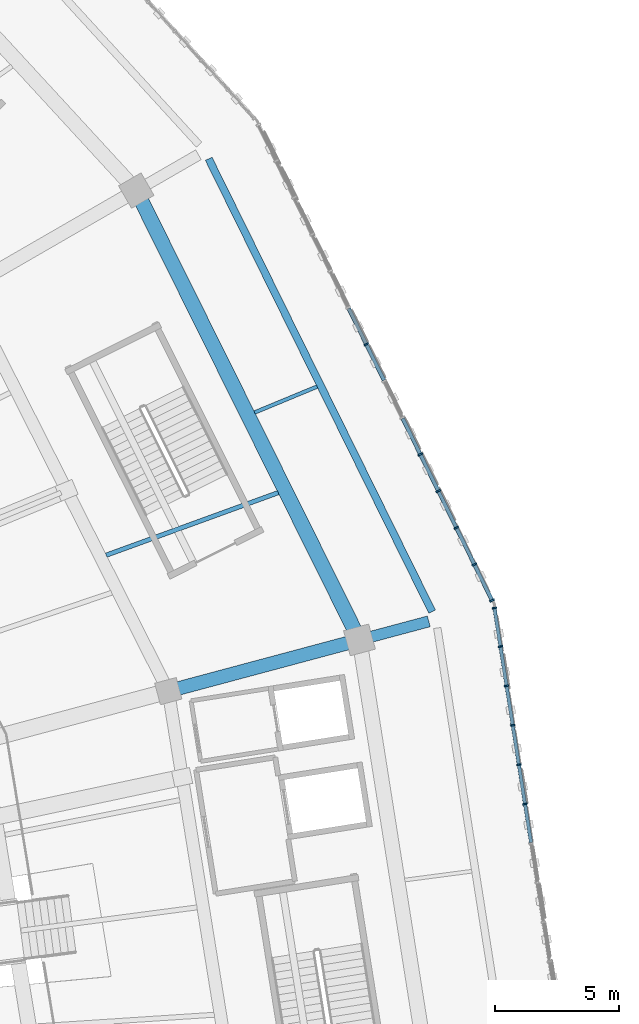
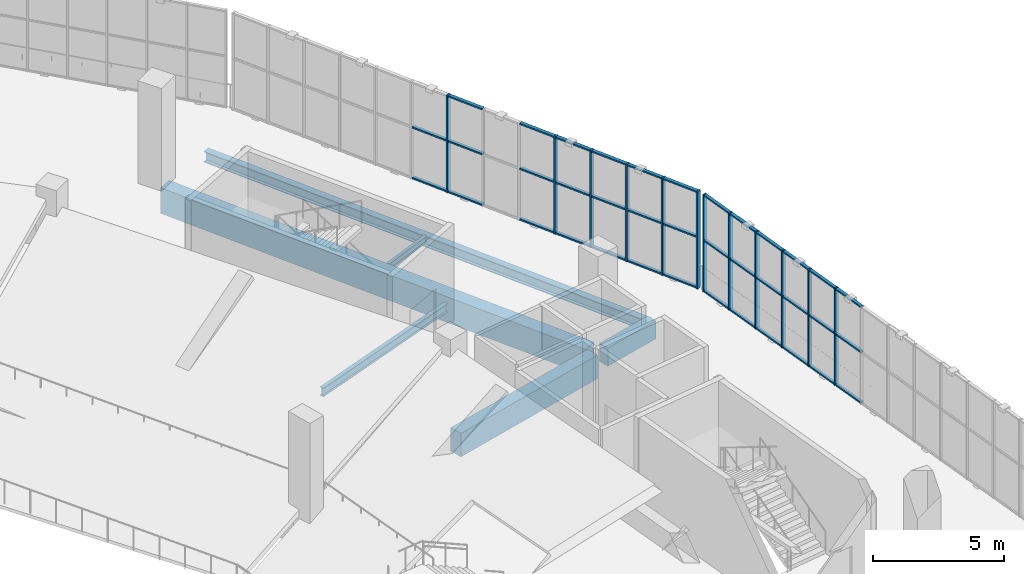
# One storey, part 40 of 152: 50 members, 6 beams, 2 elements without a shape of their own.
"""IFC4 building model written with IfcOpenShell, lengths in metres."""

from ifc_helpers import new_model, si_unit, direction, frame, origin, origin_2d, place, context, subcontext, project, spatial, rectangle, i_section, extrude, material, material_profile, profile_set, type_object, element, aggregate, save


model = new_model("IFC4")

# Units and contexts
model_context = context("Model", 3, precision=1e-05, world=origin(), true_north=direction((0.0, 1.0)))
body_context = subcontext(model_context, "Body", "Model", "MODEL_VIEW")
ifc_project = project(units=[si_unit("LENGTHUNIT", "METRE"), si_unit("AREAUNIT", "SQUARE_METRE"), si_unit("VOLUMEUNIT", "CUBIC_METRE"), si_unit("PLANEANGLEUNIT", "RADIAN"), si_unit("MASSUNIT", "GRAM", prefix="KILO")], contexts=[model_context])

# Site, building, storey
site_placement = place(None, origin())
site = spatial("IfcSite", under=ifc_project, at=site_placement, CompositionType="ELEMENT")
building_placement = place(site_placement, origin())
building = spatial("IfcBuilding", under=site, at=building_placement, Name="Zevraka Park Crest Stadium", CompositionType="ELEMENT")
storey_placement = place(building_placement, frame((0.0, 0.0, 15.0)))
storey = spatial("IfcBuildingStorey", under=building, at=storey_placement, Name="L03", CompositionType="ELEMENT", Elevation=15.0)

# Beams
ifc_material_1 = material(Name="Concrete C40/50", Category="concrete")
ifc_material_profile_1 = material_profile(ifc_material_1, rectangle(XDim=0.550048828125, YDim=1.10009765625, at=origin_2d()), Name="RC 1100x550")
ifc_profile_set_1 = profile_set([ifc_material_profile_1], Name="Concrete C40/50")
beam_type_1 = type_object("IfcBeamType", Name="BG02", PredefinedType="BEAM", material=ifc_profile_set_1)
beam_1_placement = place(storey_placement, frame((191.785888671875, 109.4970703125, -0.56005859375), z_axis=(0.965968812251, 0.258658565986, 0.0), x_axis=(-0.258658565986, 0.965968812251, 0.0)))
element("IfcBeam", 1, at=beam_1_placement, inside=storey, type_object=beam_type_1, Name="Radial Girder BG02 L03-CD-01", PredefinedType="BEAM", context=body_context, shape_type="SweptSolid", body=[
    extrude(rectangle(XDim=0.550048828125, YDim=1.10009765625, at=origin_2d()), origin(), (0.0, 0.0, 1.0), 7.39892578125),
])
ifc_material_2 = material(Name="Concrete C40/50", Category="concrete")
ifc_material_profile_2 = material_profile(ifc_material_2, rectangle(XDim=0.449951171875, YDim=0.85009765625, at=origin_2d()), Name="RC 850x450")
ifc_profile_set_2 = profile_set([ifc_material_profile_2], Name="Concrete C40/50")
beam_type_2 = type_object("IfcBeamType", Name="BG03", PredefinedType="BEAM", material=ifc_profile_set_2)
beam_2_placement = place(storey_placement, frame((199.512939453125, 111.56689453125, -0.43505859375), z_axis=(0.965992888406, 0.258568636051, 0.0), x_axis=(-0.258568636051, 0.965992888406, 0.0)))
element("IfcBeam", 2, at=beam_2_placement, inside=storey, type_object=beam_type_2, Name="Radial Girder BG03 L03-DE-01", PredefinedType="BEAM", context=body_context, shape_type="SweptSolid", body=[
    extrude(rectangle(XDim=0.449951171875, YDim=0.85009765625, at=origin_2d()), origin(), (0.0, 0.0, 1.0), 2.599365234375),
])

# Curtain wall, members
ifc_material_3 = material(Name="Anodised architectural aluminium and laminated safety glass", Category="aluminium")
curtain_wall_type_1 = type_object("IfcCurtainWallType", Name="CW11", PredefinedType="NOTDEFINED", material=ifc_material_3)
curtain_wall_1_placement = place(storey_placement, origin())
curtain_wall_1 = element("IfcCurtainWall", 3, at=curtain_wall_1_placement, inside=storey, type_object=curtain_wall_type_1, Name="Unitised Ring Curtain Wall CW11 L03-00", PredefinedType="NOTDEFINED")
ifc_material_4 = material(Name="Anodised architectural aluminium", Category="aluminium")
ifc_material_profile_3 = material_profile(ifc_material_4, rectangle(XDim=0.179931640625, YDim=0.06494140625, at=origin_2d()), Name="ALU MULLION 180x65")
ifc_profile_set_3 = profile_set([ifc_material_profile_3], Name="Anodised architectural aluminium")
member_type_1 = type_object("IfcMemberType", Name="CM02", PredefinedType="MULLION", material=ifc_profile_set_3)
member_1_placement = place(storey_placement, frame((205.9130859375, 104.8564453125, 0.0), z_axis=(0.0, 0.0, 1.0), x_axis=(-0.988050931267, -0.154127730222, 0.0)))
member_1 = element("IfcMember", 4, at=member_1_placement, type_object=member_type_1, Name="CW11 mullion 9", PredefinedType="MULLION", context=body_context, shape_type="SweptSolid", body=[
    extrude(rectangle(XDim=0.179931640625, YDim=0.06494140625, at=origin_2d()), origin(), (0.0, 0.0, 1.0), 4.5400390625),
])
member_2_placement = place(storey_placement, frame((205.6650390625, 106.44775390625, 0.0), z_axis=(0.0, 0.0, 1.0), x_axis=(-0.988050931267, -0.154127730222, 0.0)))
member_2 = element("IfcMember", 5, at=member_2_placement, type_object=member_type_1, Name="CW11 mullion 10", PredefinedType="MULLION", context=body_context, shape_type="SweptSolid", body=[
    extrude(rectangle(XDim=0.179931640625, YDim=0.06494140625, at=origin_2d()), origin(), (0.0, 0.0, 1.0), 4.5400390625),
])
member_3_placement = place(storey_placement, frame((205.416748046875, 108.0390625, 0.0), z_axis=(0.0, 0.0, 1.0), x_axis=(-0.988050931267, -0.154127730222, 0.0)))
member_3 = element("IfcMember", 6, at=member_3_placement, type_object=member_type_1, Name="CW11 mullion 11", PredefinedType="MULLION", context=body_context, shape_type="SweptSolid", body=[
    extrude(rectangle(XDim=0.179931640625, YDim=0.06494140625, at=origin_2d()), origin(), (0.0, 0.0, 1.0), 4.5400390625),
])
member_4_placement = place(storey_placement, frame((205.16845703125, 109.63037109375, 0.0), z_axis=(0.0, 0.0, 1.0), x_axis=(-0.988050931267, -0.154127730222, 0.0)))
member_4 = element("IfcMember", 7, at=member_4_placement, type_object=member_type_1, Name="CW11 mullion 12", PredefinedType="MULLION", context=body_context, shape_type="SweptSolid", body=[
    extrude(rectangle(XDim=0.179931640625, YDim=0.06494140625, at=origin_2d()), origin(), (0.0, 0.0, 1.0), 4.5400390625),
])
member_5_placement = place(storey_placement, frame((204.920166015625, 111.2216796875, 0.0), z_axis=(0.0, 0.0, 1.0), x_axis=(-0.988050931267, -0.154127730222, 0.0)))
member_5 = element("IfcMember", 8, at=member_5_placement, type_object=member_type_1, Name="CW11 mullion 13", PredefinedType="MULLION", context=body_context, shape_type="SweptSolid", body=[
    extrude(rectangle(XDim=0.179931640625, YDim=0.06494140625, at=origin_2d()), origin(), (0.0, 0.0, 1.0), 4.5400390625),
])
member_6_placement = place(storey_placement, frame((204.677001953125, 112.781005859375, 0.0), z_axis=(0.0, 0.0, 1.0), x_axis=(-0.988050931267, -0.154127730222, 0.0)))
member_6 = element("IfcMember", 9, at=member_6_placement, type_object=member_type_1, Name="CW11 mullion 14", PredefinedType="MULLION", context=body_context, shape_type="SweptSolid", body=[
    extrude(rectangle(XDim=0.179931640625, YDim=0.06494140625, at=origin_2d()), origin(), (0.0, 0.0, 1.0), 4.5400390625),
])

ifc_material_5 = material(Name="Anodised architectural aluminium and laminated safety glass", Category="aluminium")
curtain_wall_type_2 = type_object("IfcCurtainWallType", Name="CW12", PredefinedType="NOTDEFINED", material=ifc_material_5)
curtain_wall_2_placement = place(storey_placement, origin())
curtain_wall_2 = element("IfcCurtainWall", 10, at=curtain_wall_2_placement, inside=storey, type_object=curtain_wall_type_2, Name="Unitised Ring Curtain Wall CW12 L03-01", PredefinedType="NOTDEFINED")
ifc_material_6 = material(Name="Anodised architectural aluminium", Category="aluminium")
ifc_material_profile_4 = material_profile(ifc_material_6, rectangle(XDim=0.199951171875, YDim=0.070068359375, at=origin_2d()), Name="ALU MULLION 200x70")
ifc_profile_set_4 = profile_set([ifc_material_profile_4], Name="Anodised architectural aluminium")
member_type_2 = type_object("IfcMemberType", Name="CM03", PredefinedType="MULLION", material=ifc_profile_set_4)
member_7_placement = place(storey_placement, frame((204.57958984375, 113.08544921875, 0.0), z_axis=(0.0, 0.0, 1.0), x_axis=(-0.897670958396, -0.440666370912, 0.0)))
member_7 = element("IfcMember", 11, at=member_7_placement, type_object=member_type_2, Name="CW12 mullion 1", PredefinedType="MULLION", context=body_context, shape_type="SweptSolid", body=[
    extrude(rectangle(XDim=0.199951171875, YDim=0.070068359375, at=origin_2d()), origin(), (0.0, 0.0, 1.0), 4.5400390625),
])
member_8_placement = place(storey_placement, frame((203.86669921875, 114.537353515625, 0.0), z_axis=(0.0, 0.0, 1.0), x_axis=(-0.897670958396, -0.440666370912, 0.0)))
member_8 = element("IfcMember", 12, at=member_8_placement, type_object=member_type_2, Name="CW12 mullion 2", PredefinedType="MULLION", context=body_context, shape_type="SweptSolid", body=[
    extrude(rectangle(XDim=0.199951171875, YDim=0.070068359375, at=origin_2d()), origin(), (0.0, 0.0, 1.0), 4.5400390625),
])
member_9_placement = place(storey_placement, frame((203.138427734375, 116.02099609375, 0.0), z_axis=(0.0, 0.0, 1.0), x_axis=(-0.897670958396, -0.440666370912, 0.0)))
member_9 = element("IfcMember", 13, at=member_9_placement, type_object=member_type_2, Name="CW12 mullion 3", PredefinedType="MULLION", context=body_context, shape_type="SweptSolid", body=[
    extrude(rectangle(XDim=0.199951171875, YDim=0.070068359375, at=origin_2d()), origin(), (0.0, 0.0, 1.0), 4.5400390625),
])
member_10_placement = place(storey_placement, frame((202.410400390625, 117.50439453125, 0.0), z_axis=(0.0, 0.0, 1.0), x_axis=(-0.897670958396, -0.440666370912, 0.0)))
member_10 = element("IfcMember", 14, at=member_10_placement, type_object=member_type_2, Name="CW12 mullion 4", PredefinedType="MULLION", context=body_context, shape_type="SweptSolid", body=[
    extrude(rectangle(XDim=0.199951171875, YDim=0.070068359375, at=origin_2d()), origin(), (0.0, 0.0, 1.0), 4.5400390625),
])
member_11_placement = place(storey_placement, frame((201.68212890625, 118.98779296875, 0.0), z_axis=(0.0, 0.0, 1.0), x_axis=(-0.897670958396, -0.440666370912, 0.0)))
member_11 = element("IfcMember", 15, at=member_11_placement, type_object=member_type_2, Name="CW12 mullion 5", PredefinedType="MULLION", context=body_context, shape_type="SweptSolid", body=[
    extrude(rectangle(XDim=0.199951171875, YDim=0.070068359375, at=origin_2d()), origin(), (0.0, 0.0, 1.0), 4.5400390625),
])
member_12_placement = place(storey_placement, frame((199.497314453125, 123.438232421875, 0.0), z_axis=(0.0, 0.0, 1.0), x_axis=(-0.897670958396, -0.440666370912, 0.0)))
member_12 = element("IfcMember", 16, at=member_12_placement, type_object=member_type_2, Name="CW12 mullion 8", PredefinedType="MULLION", context=body_context, shape_type="SweptSolid", body=[
    extrude(rectangle(XDim=0.199951171875, YDim=0.070068359375, at=origin_2d()), origin(), (0.0, 0.0, 1.0), 4.5400390625),
])

# Member
ifc_material_7 = material(Name="Anodised architectural aluminium", Category="aluminium")
ifc_material_profile_5 = material_profile(ifc_material_7, rectangle(XDim=0.139892578125, YDim=0.06494140625, at=origin_2d()), Name="ALU TRANSOM 140x65")
ifc_profile_set_5 = profile_set([ifc_material_profile_5], Name="Anodised architectural aluminium")
member_type_3 = type_object("IfcMemberType", Name="CT02", PredefinedType="USERDEFINED", material=ifc_profile_set_5)
member_13_placement = place(storey_placement, frame((206.156494140625, 103.29736328125, 0.032470703125), z_axis=(-0.154169675764, 0.988044387199, 0.0), x_axis=(-0.988044387199, -0.154169675764, 0.0)))
member_13 = element("IfcMember", 17, at=member_13_placement, type_object=member_type_3, Name="CW11 transom 8.1", ObjectType="TRANSOM", PredefinedType="USERDEFINED", context=body_context, shape_type="SweptSolid", body=[
    extrude(rectangle(XDim=0.139892578125, YDim=0.06494140625, at=origin_2d()), origin(), (0.0, 0.0, 1.0), 1.545654296875),
])

member_14_placement = place(storey_placement, frame((206.156494140625, 103.29736328125, 2.39990234375), z_axis=(-0.154169675764, 0.988044387199, 0.0), x_axis=(-0.988044387199, -0.154169675764, 0.0)))
member_14 = element("IfcMember", 18, at=member_14_placement, type_object=member_type_3, Name="CW11 transom 8.2", ObjectType="TRANSOM", PredefinedType="USERDEFINED", context=body_context, shape_type="SweptSolid", body=[
    extrude(rectangle(XDim=0.139892578125, YDim=0.06494140625, at=origin_2d()), origin(), (0.0, 0.0, 1.0), 1.545654296875),
])

member_15_placement = place(storey_placement, frame((206.156494140625, 103.29736328125, 4.507568359375), z_axis=(-0.154169675764, 0.988044387199, 0.0), x_axis=(-0.988044387199, -0.154169675764, 0.0)))
member_15 = element("IfcMember", 19, at=member_15_placement, type_object=member_type_3, Name="CW11 transom 8.3", ObjectType="TRANSOM", PredefinedType="USERDEFINED", context=body_context, shape_type="SweptSolid", body=[
    extrude(rectangle(XDim=0.139892578125, YDim=0.06494140625, at=origin_2d()), origin(), (0.0, 0.0, 1.0), 1.545654296875),
])

member_16_placement = place(storey_placement, frame((205.908203125, 104.888671875, 0.032470703125), z_axis=(-0.154169675764, 0.988044387199, 0.0), x_axis=(-0.988044387199, -0.154169675764, 0.0)))
member_16 = element("IfcMember", 20, at=member_16_placement, type_object=member_type_3, Name="CW11 transom 9.1", ObjectType="TRANSOM", PredefinedType="USERDEFINED", context=body_context, shape_type="SweptSolid", body=[
    extrude(rectangle(XDim=0.139892578125, YDim=0.06494140625, at=origin_2d()), origin(), (0.0, 0.0, 1.0), 1.545654296875),
])

member_17_placement = place(storey_placement, frame((205.908203125, 104.888671875, 2.39990234375), z_axis=(-0.154169675764, 0.988044387199, 0.0), x_axis=(-0.988044387199, -0.154169675764, 0.0)))
member_17 = element("IfcMember", 21, at=member_17_placement, type_object=member_type_3, Name="CW11 transom 9.2", ObjectType="TRANSOM", PredefinedType="USERDEFINED", context=body_context, shape_type="SweptSolid", body=[
    extrude(rectangle(XDim=0.139892578125, YDim=0.06494140625, at=origin_2d()), origin(), (0.0, 0.0, 1.0), 1.545654296875),
])

member_18_placement = place(storey_placement, frame((205.908203125, 104.888671875, 4.507568359375), z_axis=(-0.154169675764, 0.988044387199, 0.0), x_axis=(-0.988044387199, -0.154169675764, 0.0)))
member_18 = element("IfcMember", 22, at=member_18_placement, type_object=member_type_3, Name="CW11 transom 9.3", ObjectType="TRANSOM", PredefinedType="USERDEFINED", context=body_context, shape_type="SweptSolid", body=[
    extrude(rectangle(XDim=0.139892578125, YDim=0.06494140625, at=origin_2d()), origin(), (0.0, 0.0, 1.0), 1.545654296875),
])

member_19_placement = place(storey_placement, frame((205.659912109375, 106.47998046875, 0.032470703125), z_axis=(-0.154169675764, 0.988044387199, 0.0), x_axis=(-0.988044387199, -0.154169675764, 0.0)))
member_19 = element("IfcMember", 23, at=member_19_placement, type_object=member_type_3, Name="CW11 transom 10.1", ObjectType="TRANSOM", PredefinedType="USERDEFINED", context=body_context, shape_type="SweptSolid", body=[
    extrude(rectangle(XDim=0.139892578125, YDim=0.06494140625, at=origin_2d()), origin(), (0.0, 0.0, 1.0), 1.545654296875),
])

member_20_placement = place(storey_placement, frame((205.659912109375, 106.47998046875, 2.39990234375), z_axis=(-0.154169675764, 0.988044387199, 0.0), x_axis=(-0.988044387199, -0.154169675764, 0.0)))
member_20 = element("IfcMember", 24, at=member_20_placement, type_object=member_type_3, Name="CW11 transom 10.2", ObjectType="TRANSOM", PredefinedType="USERDEFINED", context=body_context, shape_type="SweptSolid", body=[
    extrude(rectangle(XDim=0.139892578125, YDim=0.06494140625, at=origin_2d()), origin(), (0.0, 0.0, 1.0), 1.545654296875),
])

member_21_placement = place(storey_placement, frame((205.659912109375, 106.47998046875, 4.507568359375), z_axis=(-0.154169675764, 0.988044387199, 0.0), x_axis=(-0.988044387199, -0.154169675764, 0.0)))
member_21 = element("IfcMember", 25, at=member_21_placement, type_object=member_type_3, Name="CW11 transom 10.3", ObjectType="TRANSOM", PredefinedType="USERDEFINED", context=body_context, shape_type="SweptSolid", body=[
    extrude(rectangle(XDim=0.139892578125, YDim=0.06494140625, at=origin_2d()), origin(), (0.0, 0.0, 1.0), 1.545654296875),
])

member_22_placement = place(storey_placement, frame((205.41162109375, 108.0712890625, 0.032470703125), z_axis=(-0.154015463856, 0.988068437353, 0.0), x_axis=(-0.988068437353, -0.154015463856, 0.0)))
member_22 = element("IfcMember", 26, at=member_22_placement, type_object=member_type_3, Name="CW11 transom 11.1", ObjectType="TRANSOM", PredefinedType="USERDEFINED", context=body_context, shape_type="SweptSolid", body=[
    extrude(rectangle(XDim=0.139892578125, YDim=0.06494140625, at=origin_2d()), origin(), (0.0, 0.0, 1.0), 1.545654296875),
])

member_23_placement = place(storey_placement, frame((205.41162109375, 108.0712890625, 2.39990234375), z_axis=(-0.154015463856, 0.988068437353, 0.0), x_axis=(-0.988068437353, -0.154015463856, 0.0)))
member_23 = element("IfcMember", 27, at=member_23_placement, type_object=member_type_3, Name="CW11 transom 11.2", ObjectType="TRANSOM", PredefinedType="USERDEFINED", context=body_context, shape_type="SweptSolid", body=[
    extrude(rectangle(XDim=0.139892578125, YDim=0.06494140625, at=origin_2d()), origin(), (0.0, 0.0, 1.0), 1.545654296875),
])

member_24_placement = place(storey_placement, frame((205.41162109375, 108.0712890625, 4.507568359375), z_axis=(-0.154015463856, 0.988068437353, 0.0), x_axis=(-0.988068437353, -0.154015463856, 0.0)))
member_24 = element("IfcMember", 28, at=member_24_placement, type_object=member_type_3, Name="CW11 transom 11.3", ObjectType="TRANSOM", PredefinedType="USERDEFINED", context=body_context, shape_type="SweptSolid", body=[
    extrude(rectangle(XDim=0.139892578125, YDim=0.06494140625, at=origin_2d()), origin(), (0.0, 0.0, 1.0), 1.545654296875),
])

member_25_placement = place(storey_placement, frame((205.16357421875, 109.66259765625, 0.032470703125), z_axis=(-0.154169675764, 0.988044387199, 0.0), x_axis=(-0.988044387199, -0.154169675764, 0.0)))
member_25 = element("IfcMember", 29, at=member_25_placement, type_object=member_type_3, Name="CW11 transom 12.1", ObjectType="TRANSOM", PredefinedType="USERDEFINED", context=body_context, shape_type="SweptSolid", body=[
    extrude(rectangle(XDim=0.139892578125, YDim=0.06494140625, at=origin_2d()), origin(), (0.0, 0.0, 1.0), 1.545654296875),
])

member_26_placement = place(storey_placement, frame((205.16357421875, 109.66259765625, 2.39990234375), z_axis=(-0.154169675764, 0.988044387199, 0.0), x_axis=(-0.988044387199, -0.154169675764, 0.0)))
member_26 = element("IfcMember", 30, at=member_26_placement, type_object=member_type_3, Name="CW11 transom 12.2", ObjectType="TRANSOM", PredefinedType="USERDEFINED", context=body_context, shape_type="SweptSolid", body=[
    extrude(rectangle(XDim=0.139892578125, YDim=0.06494140625, at=origin_2d()), origin(), (0.0, 0.0, 1.0), 1.545654296875),
])

member_27_placement = place(storey_placement, frame((205.16357421875, 109.66259765625, 4.507568359375), z_axis=(-0.154169675764, 0.988044387199, 0.0), x_axis=(-0.988044387199, -0.154169675764, 0.0)))
member_27 = element("IfcMember", 31, at=member_27_placement, type_object=member_type_3, Name="CW11 transom 12.3", ObjectType="TRANSOM", PredefinedType="USERDEFINED", context=body_context, shape_type="SweptSolid", body=[
    extrude(rectangle(XDim=0.139892578125, YDim=0.06494140625, at=origin_2d()), origin(), (0.0, 0.0, 1.0), 1.545654296875),
])

member_28_placement = place(storey_placement, frame((204.915283203125, 111.25390625, 0.032470703125), z_axis=(-0.154106133662, 0.988054299909, 0.0), x_axis=(-0.988054299909, -0.154106133662, 0.0)))
member_28 = element("IfcMember", 32, at=member_28_placement, type_object=member_type_3, Name="CW11 transom 13.1", ObjectType="TRANSOM", PredefinedType="USERDEFINED", context=body_context, shape_type="SweptSolid", body=[
    extrude(rectangle(XDim=0.139892578125, YDim=0.06494140625, at=origin_2d()), origin(), (0.0, 0.0, 1.0), 1.512939453125),
])

member_29_placement = place(storey_placement, frame((204.915283203125, 111.25390625, 2.39990234375), z_axis=(-0.154106133662, 0.988054299909, 0.0), x_axis=(-0.988054299909, -0.154106133662, 0.0)))
member_29 = element("IfcMember", 33, at=member_29_placement, type_object=member_type_3, Name="CW11 transom 13.2", ObjectType="TRANSOM", PredefinedType="USERDEFINED", context=body_context, shape_type="SweptSolid", body=[
    extrude(rectangle(XDim=0.139892578125, YDim=0.06494140625, at=origin_2d()), origin(), (0.0, 0.0, 1.0), 1.512939453125),
])

member_30_placement = place(storey_placement, frame((204.915283203125, 111.25390625, 4.507568359375), z_axis=(-0.154106133662, 0.988054299909, 0.0), x_axis=(-0.988054299909, -0.154106133662, 0.0)))
member_30 = element("IfcMember", 34, at=member_30_placement, type_object=member_type_3, Name="CW11 transom 13.3", ObjectType="TRANSOM", PredefinedType="USERDEFINED", context=body_context, shape_type="SweptSolid", body=[
    extrude(rectangle(XDim=0.139892578125, YDim=0.06494140625, at=origin_2d()), origin(), (0.0, 0.0, 1.0), 1.512939453125),
])

aggregate(curtain_wall_1, [member_1, member_2, member_3, member_4, member_5, member_6, member_13, member_14, member_15, member_16, member_17, member_18, member_19, member_20, member_21, member_22, member_23, member_24, member_25, member_26, member_27, member_28, member_29, member_30])

ifc_material_8 = material(Name="Anodised architectural aluminium", Category="aluminium")
ifc_material_profile_6 = material_profile(ifc_material_8, rectangle(XDim=0.14990234375, YDim=0.070068359375, at=origin_2d()), Name="ALU TRANSOM 150x70")
ifc_profile_set_6 = profile_set([ifc_material_profile_6], Name="Anodised architectural aluminium")
member_type_4 = type_object("IfcMemberType", Name="CT03", PredefinedType="USERDEFINED", material=ifc_profile_set_6)
member_31_placement = place(storey_placement, frame((204.564208984375, 113.116943359375, 0.034912109375), z_axis=(-0.440765638904, 0.89762222096, 0.0), x_axis=(-0.89762222096, -0.440765638904, 0.0)))
member_31 = element("IfcMember", 35, at=member_31_placement, type_object=member_type_4, Name="CW12 transom 1.1", ObjectType="TRANSOM", PredefinedType="USERDEFINED", context=body_context, shape_type="SweptSolid", body=[
    extrude(rectangle(XDim=0.14990234375, YDim=0.070068359375, at=origin_2d()), origin(), (0.0, 0.0, 1.0), 1.547607421875),
])

member_32_placement = place(storey_placement, frame((204.564208984375, 113.116943359375, 2.39990234375), z_axis=(-0.440765638904, 0.89762222096, 0.0), x_axis=(-0.89762222096, -0.440765638904, 0.0)))
member_32 = element("IfcMember", 36, at=member_32_placement, type_object=member_type_4, Name="CW12 transom 1.2", ObjectType="TRANSOM", PredefinedType="USERDEFINED", context=body_context, shape_type="SweptSolid", body=[
    extrude(rectangle(XDim=0.14990234375, YDim=0.070068359375, at=origin_2d()), origin(), (0.0, 0.0, 1.0), 1.547607421875),
])

member_33_placement = place(storey_placement, frame((204.564208984375, 113.116943359375, 4.5048828125), z_axis=(-0.440765638904, 0.89762222096, 0.0), x_axis=(-0.89762222096, -0.440765638904, 0.0)))
member_33 = element("IfcMember", 37, at=member_33_placement, type_object=member_type_4, Name="CW12 transom 1.3", ObjectType="TRANSOM", PredefinedType="USERDEFINED", context=body_context, shape_type="SweptSolid", body=[
    extrude(rectangle(XDim=0.14990234375, YDim=0.070068359375, at=origin_2d()), origin(), (0.0, 0.0, 1.0), 1.547607421875),
])

member_34_placement = place(storey_placement, frame((203.851318359375, 114.56884765625, 0.034912109375), z_axis=(-0.440598601408, 0.897704223248, 0.0), x_axis=(-0.897704223248, -0.440598601408, 0.0)))
member_34 = element("IfcMember", 38, at=member_34_placement, type_object=member_type_4, Name="CW12 transom 2.1", ObjectType="TRANSOM", PredefinedType="USERDEFINED", context=body_context, shape_type="SweptSolid", body=[
    extrude(rectangle(XDim=0.14990234375, YDim=0.070068359375, at=origin_2d()), origin(), (0.0, 0.0, 1.0), 1.58251953125),
])

member_35_placement = place(storey_placement, frame((203.851318359375, 114.56884765625, 2.39990234375), z_axis=(-0.440598601408, 0.897704223248, 0.0), x_axis=(-0.897704223248, -0.440598601408, 0.0)))
member_35 = element("IfcMember", 39, at=member_35_placement, type_object=member_type_4, Name="CW12 transom 2.2", ObjectType="TRANSOM", PredefinedType="USERDEFINED", context=body_context, shape_type="SweptSolid", body=[
    extrude(rectangle(XDim=0.14990234375, YDim=0.070068359375, at=origin_2d()), origin(), (0.0, 0.0, 1.0), 1.58251953125),
])

member_36_placement = place(storey_placement, frame((203.851318359375, 114.56884765625, 4.5048828125), z_axis=(-0.440598601408, 0.897704223248, 0.0), x_axis=(-0.897704223248, -0.440598601408, 0.0)))
member_36 = element("IfcMember", 40, at=member_36_placement, type_object=member_type_4, Name="CW12 transom 2.3", ObjectType="TRANSOM", PredefinedType="USERDEFINED", context=body_context, shape_type="SweptSolid", body=[
    extrude(rectangle(XDim=0.14990234375, YDim=0.070068359375, at=origin_2d()), origin(), (0.0, 0.0, 1.0), 1.58251953125),
])

member_37_placement = place(storey_placement, frame((203.123046875, 116.05224609375, 0.034912109375), z_axis=(-0.440598601408, 0.897704223248, 0.0), x_axis=(-0.897704223248, -0.440598601408, 0.0)))
member_37 = element("IfcMember", 41, at=member_37_placement, type_object=member_type_4, Name="CW12 transom 3.1", ObjectType="TRANSOM", PredefinedType="USERDEFINED", context=body_context, shape_type="SweptSolid", body=[
    extrude(rectangle(XDim=0.14990234375, YDim=0.070068359375, at=origin_2d()), origin(), (0.0, 0.0, 1.0), 1.58251953125),
])

member_38_placement = place(storey_placement, frame((203.123046875, 116.05224609375, 2.39990234375), z_axis=(-0.440598601408, 0.897704223248, 0.0), x_axis=(-0.897704223248, -0.440598601408, 0.0)))
member_38 = element("IfcMember", 42, at=member_38_placement, type_object=member_type_4, Name="CW12 transom 3.2", ObjectType="TRANSOM", PredefinedType="USERDEFINED", context=body_context, shape_type="SweptSolid", body=[
    extrude(rectangle(XDim=0.14990234375, YDim=0.070068359375, at=origin_2d()), origin(), (0.0, 0.0, 1.0), 1.58251953125),
])

member_39_placement = place(storey_placement, frame((203.123046875, 116.05224609375, 4.5048828125), z_axis=(-0.440598601408, 0.897704223248, 0.0), x_axis=(-0.897704223248, -0.440598601408, 0.0)))
member_39 = element("IfcMember", 43, at=member_39_placement, type_object=member_type_4, Name="CW12 transom 3.3", ObjectType="TRANSOM", PredefinedType="USERDEFINED", context=body_context, shape_type="SweptSolid", body=[
    extrude(rectangle(XDim=0.14990234375, YDim=0.070068359375, at=origin_2d()), origin(), (0.0, 0.0, 1.0), 1.58251953125),
])

member_40_placement = place(storey_placement, frame((202.394775390625, 117.535888671875, 0.034912109375), z_axis=(-0.440598601408, 0.897704223248, 0.0), x_axis=(-0.897704223248, -0.440598601408, 0.0)))
member_40 = element("IfcMember", 44, at=member_40_placement, type_object=member_type_4, Name="CW12 transom 4.1", ObjectType="TRANSOM", PredefinedType="USERDEFINED", context=body_context, shape_type="SweptSolid", body=[
    extrude(rectangle(XDim=0.14990234375, YDim=0.070068359375, at=origin_2d()), origin(), (0.0, 0.0, 1.0), 1.58251953125),
])

member_41_placement = place(storey_placement, frame((202.394775390625, 117.535888671875, 2.39990234375), z_axis=(-0.440598601408, 0.897704223248, 0.0), x_axis=(-0.897704223248, -0.440598601408, 0.0)))
member_41 = element("IfcMember", 45, at=member_41_placement, type_object=member_type_4, Name="CW12 transom 4.2", ObjectType="TRANSOM", PredefinedType="USERDEFINED", context=body_context, shape_type="SweptSolid", body=[
    extrude(rectangle(XDim=0.14990234375, YDim=0.070068359375, at=origin_2d()), origin(), (0.0, 0.0, 1.0), 1.58251953125),
])

member_42_placement = place(storey_placement, frame((202.394775390625, 117.535888671875, 4.5048828125), z_axis=(-0.440598601408, 0.897704223248, 0.0), x_axis=(-0.897704223248, -0.440598601408, 0.0)))
member_42 = element("IfcMember", 46, at=member_42_placement, type_object=member_type_4, Name="CW12 transom 4.3", ObjectType="TRANSOM", PredefinedType="USERDEFINED", context=body_context, shape_type="SweptSolid", body=[
    extrude(rectangle(XDim=0.14990234375, YDim=0.070068359375, at=origin_2d()), origin(), (0.0, 0.0, 1.0), 1.58251953125),
])

member_43_placement = place(storey_placement, frame((201.666748046875, 119.019287109375, 0.034912109375), z_axis=(-0.440722911723, 0.897643200321, 0.0), x_axis=(-0.897643200321, -0.440722911723, 0.0)))
member_43 = element("IfcMember", 47, at=member_43_placement, type_object=member_type_4, Name="CW12 transom 5.1", ObjectType="TRANSOM", PredefinedType="USERDEFINED", context=body_context, shape_type="SweptSolid", body=[
    extrude(rectangle(XDim=0.14990234375, YDim=0.070068359375, at=origin_2d()), origin(), (0.0, 0.0, 1.0), 1.582763671875),
])

member_44_placement = place(storey_placement, frame((201.666748046875, 119.019287109375, 2.39990234375), z_axis=(-0.440722911723, 0.897643200321, 0.0), x_axis=(-0.897643200321, -0.440722911723, 0.0)))
member_44 = element("IfcMember", 48, at=member_44_placement, type_object=member_type_4, Name="CW12 transom 5.2", ObjectType="TRANSOM", PredefinedType="USERDEFINED", context=body_context, shape_type="SweptSolid", body=[
    extrude(rectangle(XDim=0.14990234375, YDim=0.070068359375, at=origin_2d()), origin(), (0.0, 0.0, 1.0), 1.582763671875),
])

member_45_placement = place(storey_placement, frame((201.666748046875, 119.019287109375, 4.5048828125), z_axis=(-0.440722911723, 0.897643200321, 0.0), x_axis=(-0.897643200321, -0.440722911723, 0.0)))
member_45 = element("IfcMember", 49, at=member_45_placement, type_object=member_type_4, Name="CW12 transom 5.3", ObjectType="TRANSOM", PredefinedType="USERDEFINED", context=body_context, shape_type="SweptSolid", body=[
    extrude(rectangle(XDim=0.14990234375, YDim=0.070068359375, at=origin_2d()), origin(), (0.0, 0.0, 1.0), 1.582763671875),
])

member_46_placement = place(storey_placement, frame((200.210205078125, 121.986083984375, 0.034912109375), z_axis=(-0.440722911723, 0.897643200321, 0.0), x_axis=(-0.897643200321, -0.440722911723, 0.0)))
member_46 = element("IfcMember", 50, at=member_46_placement, type_object=member_type_4, Name="CW12 transom 7.1", ObjectType="TRANSOM", PredefinedType="USERDEFINED", context=body_context, shape_type="SweptSolid", body=[
    extrude(rectangle(XDim=0.14990234375, YDim=0.070068359375, at=origin_2d()), origin(), (0.0, 0.0, 1.0), 1.582763671875),
])

member_47_placement = place(storey_placement, frame((200.210205078125, 121.986083984375, 2.39990234375), z_axis=(-0.440722911723, 0.897643200321, 0.0), x_axis=(-0.897643200321, -0.440722911723, 0.0)))
member_47 = element("IfcMember", 51, at=member_47_placement, type_object=member_type_4, Name="CW12 transom 7.2", ObjectType="TRANSOM", PredefinedType="USERDEFINED", context=body_context, shape_type="SweptSolid", body=[
    extrude(rectangle(XDim=0.14990234375, YDim=0.070068359375, at=origin_2d()), origin(), (0.0, 0.0, 1.0), 1.582763671875),
])

member_48_placement = place(storey_placement, frame((200.210205078125, 121.986083984375, 4.5048828125), z_axis=(-0.440722911723, 0.897643200321, 0.0), x_axis=(-0.897643200321, -0.440722911723, 0.0)))
member_48 = element("IfcMember", 52, at=member_48_placement, type_object=member_type_4, Name="CW12 transom 7.3", ObjectType="TRANSOM", PredefinedType="USERDEFINED", context=body_context, shape_type="SweptSolid", body=[
    extrude(rectangle(XDim=0.14990234375, YDim=0.070068359375, at=origin_2d()), origin(), (0.0, 0.0, 1.0), 1.582763671875),
])

member_49_placement = place(storey_placement, frame((199.48193359375, 123.4697265625, 0.034912109375), z_axis=(-0.440598601408, 0.897704223248, 0.0), x_axis=(-0.897704223248, -0.440598601408, 0.0)))
member_49 = element("IfcMember", 53, at=member_49_placement, type_object=member_type_4, Name="CW12 transom 8.1", ObjectType="TRANSOM", PredefinedType="USERDEFINED", context=body_context, shape_type="SweptSolid", body=[
    extrude(rectangle(XDim=0.14990234375, YDim=0.070068359375, at=origin_2d()), origin(), (0.0, 0.0, 1.0), 1.58251953125),
])

member_50_placement = place(storey_placement, frame((199.48193359375, 123.4697265625, 2.39990234375), z_axis=(-0.440598601408, 0.897704223248, 0.0), x_axis=(-0.897704223248, -0.440598601408, 0.0)))
member_50 = element("IfcMember", 54, at=member_50_placement, type_object=member_type_4, Name="CW12 transom 8.2", ObjectType="TRANSOM", PredefinedType="USERDEFINED", context=body_context, shape_type="SweptSolid", body=[
    extrude(rectangle(XDim=0.14990234375, YDim=0.070068359375, at=origin_2d()), origin(), (0.0, 0.0, 1.0), 1.58251953125),
])

aggregate(curtain_wall_2, [member_7, member_8, member_9, member_10, member_11, member_12, member_31, member_32, member_33, member_34, member_35, member_36, member_37, member_38, member_39, member_40, member_41, member_42, member_43, member_44, member_45, member_46, member_47, member_48, member_49, member_50])

# Beams
ifc_material_9 = material(Name="Concrete C40/50", Category="concrete")
ifc_material_profile_7 = material_profile(ifc_material_9, rectangle(XDim=0.60009765625, YDim=1.199951171875, at=origin_2d()), Name="RC 1200x600")
ifc_profile_set_7 = profile_set([ifc_material_profile_7], Name="Concrete C40/50")
beam_type_3 = type_object("IfcBeamType", Name="RB01", PredefinedType="BEAM", material=ifc_profile_set_7)
beam_3_placement = place(storey_placement, frame((199.053955078125, 111.8291015625, -0.610107421875), z_axis=(-0.444850507814, 0.895604837916, 0.0), x_axis=(-0.895604837916, -0.444850507814, 0.0)))
element("IfcBeam", 55, at=beam_3_placement, inside=storey, type_object=beam_type_3, Name="Ring Beam RB01 L03-D-01", PredefinedType="BEAM", context=body_context, shape_type="SweptSolid", body=[
    extrude(rectangle(XDim=0.60009765625, YDim=1.199951171875, at=origin_2d()), origin(), (0.0, 0.0, 1.0), 19.5185546875),
])
ifc_material_10 = material(Name="Steel S355", Category="steel")
ifc_material_profile_8 = material_profile(ifc_material_10, i_section(OverallWidth=0.300048828125, OverallDepth=0.5, WebThickness=0.014404296875, FlangeThickness=0.028076171875, at=origin_2d()), Name="HEB 500")
ifc_profile_set_8 = profile_set([ifc_material_profile_8], Name="Steel S355")
beam_type_4 = type_object("IfcBeamType", Name="RB05", PredefinedType="BEAM", material=ifc_profile_set_8)
beam_4_placement = place(storey_placement, frame((202.158935546875, 112.631103515625, -0.60498046875), z_axis=(-0.442446810597, 0.896794747862, 0.0), x_axis=(-0.896794747862, -0.442446810597, 0.0)))
element("IfcBeam", 56, at=beam_4_placement, inside=storey, type_object=beam_type_4, Name="Ring Beam RB05 L03-E-01", PredefinedType="BEAM", context=body_context, shape_type="SweptSolid", body=[
    extrude(i_section(OverallWidth=0.300048828125, OverallDepth=0.5, WebThickness=0.014404296875, FlangeThickness=0.028076171875, at=origin_2d()), origin(), (0.0, 0.0, 1.0), 20.41162109375),
])
ifc_material_11 = material(Name="Steel S355", Category="steel")
ifc_material_profile_9 = material_profile(ifc_material_11, i_section(OverallWidth=0.14990234375, OverallDepth=0.300048828125, WebThickness=0.007080078125, FlangeThickness=0.0107421875, at=origin_2d()), Name="IPE 300")
ifc_profile_set_9 = profile_set([ifc_material_profile_9], Name="Steel S355")
beam_type_5 = type_object("IfcBeamType", Name="SJ01", PredefinedType="JOIST", material=ifc_profile_set_9)
beam_5_placement = place(storey_placement, frame((194.985107421875, 120.681884765625, -0.4580078125), z_axis=(0.923841523408, 0.382775181571, 0.0), x_axis=(-0.382775181571, 0.923841523408, 0.0)))
element("IfcBeam", 57, at=beam_5_placement, inside=storey, type_object=beam_type_5, Name="Floor Joist SJ01 L03-DE-01-1", PredefinedType="JOIST", context=body_context, shape_type="SweptSolid", body=[
    extrude(i_section(OverallWidth=0.14990234375, OverallDepth=0.300048828125, WebThickness=0.007080078125, FlangeThickness=0.0107421875, at=origin_2d()), origin(), (0.0, 0.0, 1.0), 2.733154296875),
])
ifc_material_12 = material(Name="Steel S355", Category="steel")
ifc_material_profile_10 = material_profile(ifc_material_12, i_section(OverallWidth=0.179931640625, OverallDepth=0.39990234375, WebThickness=0.008544921875, FlangeThickness=0.013427734375, at=origin_2d()), Name="IPE 400")
ifc_profile_set_10 = profile_set([ifc_material_profile_10], Name="Steel S355")
beam_type_6 = type_object("IfcBeamType", Name="SJ09", PredefinedType="JOIST", material=ifc_profile_set_10)
beam_6_placement = place(storey_placement, frame((188.986083984375, 114.9130859375, -0.508056640625), z_axis=(0.939772225385, 0.341801352243, 0.0), x_axis=(-0.341801352243, 0.939772225385, 0.0)))
element("IfcBeam", 58, at=beam_6_placement, inside=storey, type_object=beam_type_6, Name="Floor Joist SJ09 L03-CD-01-1", PredefinedType="JOIST", context=body_context, shape_type="SweptSolid", body=[
    extrude(i_section(OverallWidth=0.179931640625, OverallDepth=0.39990234375, WebThickness=0.008544921875, FlangeThickness=0.013427734375, at=origin_2d()), origin(), (0.0, 0.0, 1.0), 7.3984375),
])

save(model, "model.ifc")
